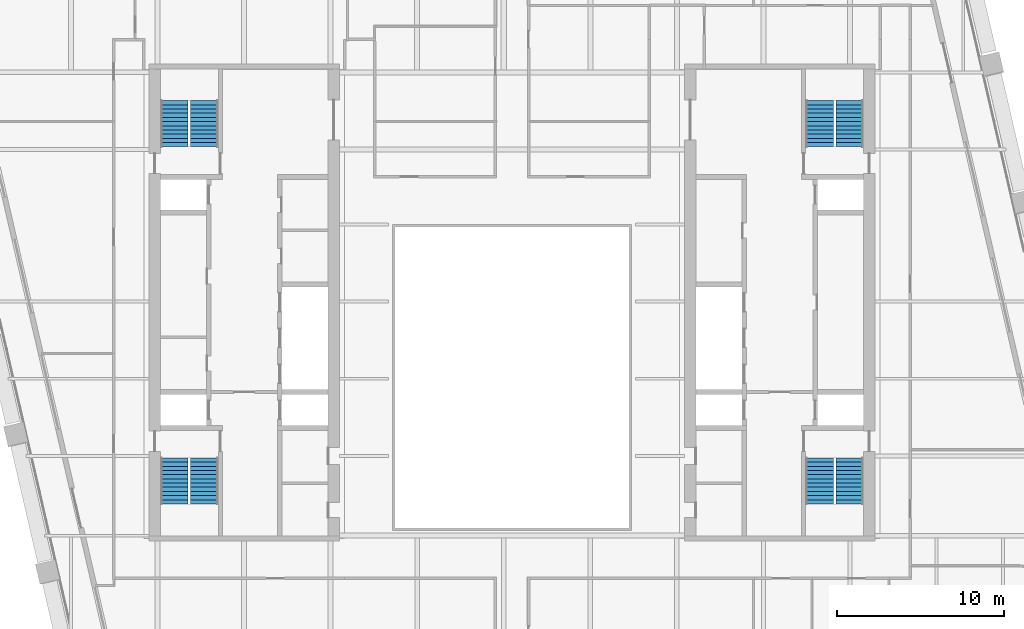
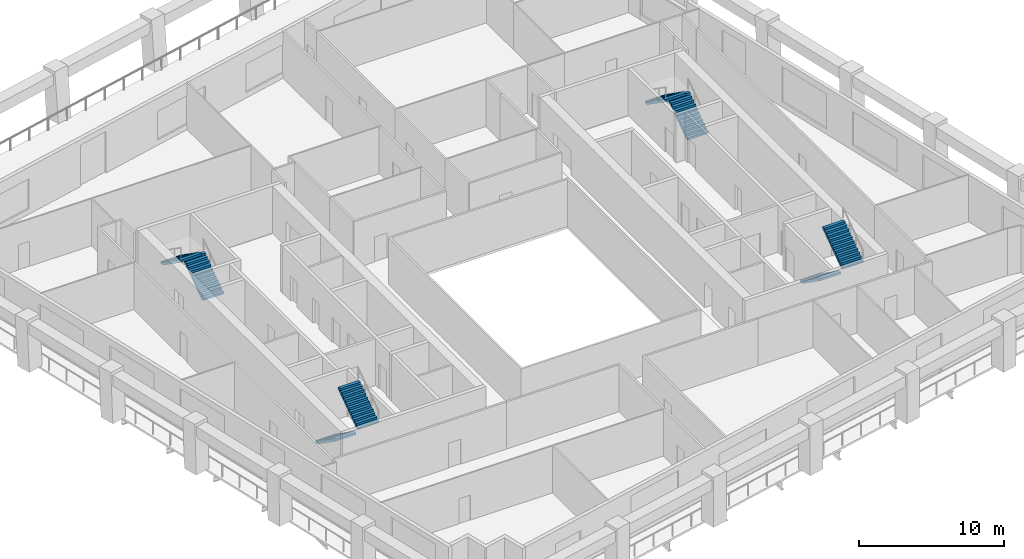
# One storey, part 9 of 11: 8 stair flights, 4 elements without a shape of their own.
"""IFC4 building model written with IfcOpenShell, lengths in metres."""

from ifc_helpers import new_model, si_unit, direction, frame, origin, place, context, subcontext, project, spatial, polyline, outline, extrude, material, type_object, element, aggregate, save


model = new_model("IFC4")

# Units and contexts
model_context = context("Model", 3, precision=1e-05, world=origin(), true_north=direction((0.0, 1.0)))
body_context = subcontext(model_context, "Body", "Model", "MODEL_VIEW")
ifc_project = project(units=[si_unit("LENGTHUNIT", "METRE"), si_unit("AREAUNIT", "SQUARE_METRE"), si_unit("VOLUMEUNIT", "CUBIC_METRE"), si_unit("PLANEANGLEUNIT", "RADIAN"), si_unit("MASSUNIT", "GRAM", prefix="KILO")], contexts=[model_context])

# Site, building, storey
site_placement = place(None, origin())
site = spatial("IfcSite", under=ifc_project, at=site_placement, CompositionType="ELEMENT")
building_placement = place(site_placement, origin())
building = spatial("IfcBuilding", under=site, at=building_placement, Name="Ogive Exchange Tower", CompositionType="ELEMENT")
storey_placement = place(building_placement, frame((0.0, 0.0, 217.800048828125)))
storey = spatial("IfcBuildingStorey", under=building, at=storey_placement, Name="L48", CompositionType="ELEMENT", Elevation=217.800048828125)

# Stair, stair flights
ifc_material = material(Name="Concrete C40/50", Category="concrete")
stair_type = type_object("IfcStairType", Name="Exit stair 1650 wide", PredefinedType="HALF_TURN_STAIR", material=ifc_material)
stair_1_placement = place(storey_placement, origin())
stair_1 = element("IfcStair", 1, at=stair_1_placement, inside=storey, type_object=stair_type, Name="L48 exit stair ST1", PredefinedType="HALF_TURN_STAIR")
stair_flight_type = type_object("IfcStairFlightType", Name="Stair flight 1650 wide", PredefinedType="STRAIGHT", material=ifc_material)
stair_flight_1_placement = place(storey_placement, frame((-20.175048828125, 2.199951171875, 0.0), z_axis=(0.0, 0.0, 1.0), x_axis=(0.0, -1.0, 0.0)))
stair_flight_1 = element("IfcStairFlight", 2, at=stair_flight_1_placement, type_object=stair_flight_type, Name="ST1 flight 1", NumberOfRisers=12, NumberOfTreads=11, PredefinedType="STRAIGHT", RiserHeight=0.175, TreadLength=0.25, context=body_context, shape_type="SweptSolid", body=[
    extrude(outline(polyline([(0.0, 0.0), (0.0, 0.175048828125), (0.25, 0.175048828125), (0.25, 0.35009765625), (0.5, 0.35009765625), (0.5, 0.52490234375), (0.75, 0.52490234375), (0.75, 0.699951171875), (1.0, 0.699951171875), (1.0, 0.875), (1.25, 0.875), (1.25, 1.050048828125), (1.5, 1.050048828125), (1.5, 1.22509765625), (1.75, 1.22509765625), (1.75, 1.39990234375), (2.0, 1.39990234375), (2.0, 1.574951171875), (2.25, 1.574951171875), (2.25, 1.75), (2.5, 1.75), (2.5, 1.925048828125), (2.75, 1.925048828125), (2.75, 2.10009765625), (2.75, 1.741943359375), (0.261474609375, 0.0), (0.0, 0.0)])), frame((0.0, 0.824951171875, 0.0), z_axis=(0.0, -1.0, 0.0), x_axis=(1.0, 0.0, 0.0)), (0.0, 0.0, 1.0), 1.64990234375),
])
stair_flight_2_placement = place(storey_placement, frame((-18.375, -0.550048828125, 2.099853515625), z_axis=(0.0, 0.0, 1.0), x_axis=(0.0, 1.0, 0.0)))
stair_flight_2 = element("IfcStairFlight", 3, at=stair_flight_2_placement, type_object=stair_flight_type, Name="ST1 flight 2", NumberOfRisers=12, NumberOfTreads=11, PredefinedType="STRAIGHT", RiserHeight=0.175, TreadLength=0.25, context=body_context, shape_type="SweptSolid", body=[
    extrude(outline(polyline([(0.0, 0.0), (0.0, 0.175048828125), (0.25, 0.175048828125), (0.25, 0.35009765625), (0.5, 0.35009765625), (0.5, 0.52490234375), (0.75, 0.52490234375), (0.75, 0.699951171875), (1.0, 0.699951171875), (1.0, 0.875), (1.25, 0.875), (1.25, 1.050048828125), (1.5, 1.050048828125), (1.5, 1.22509765625), (1.75, 1.22509765625), (1.75, 1.39990234375), (2.0, 1.39990234375), (2.0, 1.574951171875), (2.25, 1.574951171875), (2.25, 1.75), (2.5, 1.75), (2.5, 1.925048828125), (2.75, 1.925048828125), (2.75, 2.10009765625), (2.75, 1.741943359375), (0.261474609375, 0.0), (0.0, 0.0)])), frame((0.0, 0.824951171875, 0.0), z_axis=(0.0, -1.0, 0.0), x_axis=(1.0, 0.0, 0.0)), (0.0, 0.0, 1.0), 1.64990234375),
])
aggregate(stair_1, [stair_flight_1, stair_flight_2])

stair_2_placement = place(storey_placement, origin())
stair_2 = element("IfcStair", 4, at=stair_2_placement, inside=storey, type_object=stair_type, Name="L48 exit stair ST2", PredefinedType="HALF_TURN_STAIR")
stair_flight_3_placement = place(storey_placement, frame((-18.375, 20.800048828125, 0.0), z_axis=(0.0, 0.0, 1.0), x_axis=(0.0, 1.0, 0.0)))
stair_flight_3 = element("IfcStairFlight", 5, at=stair_flight_3_placement, type_object=stair_flight_type, Name="ST2 flight 1", NumberOfRisers=12, NumberOfTreads=11, PredefinedType="STRAIGHT", RiserHeight=0.175, TreadLength=0.25, context=body_context, shape_type="SweptSolid", body=[
    extrude(outline(polyline([(0.0, 0.0), (0.0, 0.175048828125), (0.25, 0.175048828125), (0.25, 0.35009765625), (0.5, 0.35009765625), (0.5, 0.52490234375), (0.75, 0.52490234375), (0.75, 0.699951171875), (1.0, 0.699951171875), (1.0, 0.875), (1.25, 0.875), (1.25, 1.050048828125), (1.5, 1.050048828125), (1.5, 1.22509765625), (1.75, 1.22509765625), (1.75, 1.39990234375), (2.0, 1.39990234375), (2.0, 1.574951171875), (2.25, 1.574951171875), (2.25, 1.75), (2.5, 1.75), (2.5, 1.925048828125), (2.75, 1.925048828125), (2.75, 2.10009765625), (2.75, 1.741943359375), (0.261474609375, 0.0), (0.0, 0.0)])), frame((0.0, 0.824951171875, 0.0), z_axis=(0.0, -1.0, 0.0), x_axis=(1.0, 0.0, 0.0)), (0.0, 0.0, 1.0), 1.64990234375),
])
stair_flight_4_placement = place(storey_placement, frame((-20.175048828125, 23.550048828125, 2.099853515625), z_axis=(0.0, 0.0, 1.0), x_axis=(0.0, -1.0, 0.0)))
stair_flight_4 = element("IfcStairFlight", 6, at=stair_flight_4_placement, type_object=stair_flight_type, Name="ST2 flight 2", NumberOfRisers=12, NumberOfTreads=11, PredefinedType="STRAIGHT", RiserHeight=0.175, TreadLength=0.25, context=body_context, shape_type="SweptSolid", body=[
    extrude(outline(polyline([(0.0, 0.0), (0.0, 0.175048828125), (0.25, 0.175048828125), (0.25, 0.35009765625), (0.5, 0.35009765625), (0.5, 0.52490234375), (0.75, 0.52490234375), (0.75, 0.699951171875), (1.0, 0.699951171875), (1.0, 0.875), (1.25, 0.875), (1.25, 1.050048828125), (1.5, 1.050048828125), (1.5, 1.22509765625), (1.75, 1.22509765625), (1.75, 1.39990234375), (2.0, 1.39990234375), (2.0, 1.574951171875), (2.25, 1.574951171875), (2.25, 1.75), (2.5, 1.75), (2.5, 1.925048828125), (2.75, 1.925048828125), (2.75, 2.10009765625), (2.75, 1.741943359375), (0.261474609375, 0.0), (0.0, 0.0)])), frame((0.0, 0.824951171875, 0.0), z_axis=(0.0, -1.0, 0.0), x_axis=(1.0, 0.0, 0.0)), (0.0, 0.0, 1.0), 1.64990234375),
])
aggregate(stair_2, [stair_flight_3, stair_flight_4])

stair_3_placement = place(storey_placement, origin())
stair_3 = element("IfcStair", 7, at=stair_3_placement, inside=storey, type_object=stair_type, Name="L48 exit stair ST3", PredefinedType="HALF_TURN_STAIR")
stair_flight_5_placement = place(storey_placement, frame((18.375, 2.199951171875, 0.0), z_axis=(0.0, 0.0, 1.0), x_axis=(0.0, -1.0, 0.0)))
stair_flight_5 = element("IfcStairFlight", 8, at=stair_flight_5_placement, type_object=stair_flight_type, Name="ST3 flight 1", NumberOfRisers=12, NumberOfTreads=11, PredefinedType="STRAIGHT", RiserHeight=0.175, TreadLength=0.25, context=body_context, shape_type="SweptSolid", body=[
    extrude(outline(polyline([(0.0, 0.0), (0.0, 0.175048828125), (0.25, 0.175048828125), (0.25, 0.35009765625), (0.5, 0.35009765625), (0.5, 0.52490234375), (0.75, 0.52490234375), (0.75, 0.699951171875), (1.0, 0.699951171875), (1.0, 0.875), (1.25, 0.875), (1.25, 1.050048828125), (1.5, 1.050048828125), (1.5, 1.22509765625), (1.75, 1.22509765625), (1.75, 1.39990234375), (2.0, 1.39990234375), (2.0, 1.574951171875), (2.25, 1.574951171875), (2.25, 1.75), (2.5, 1.75), (2.5, 1.925048828125), (2.75, 1.925048828125), (2.75, 2.10009765625), (2.75, 1.741943359375), (0.261474609375, 0.0), (0.0, 0.0)])), frame((0.0, 0.824951171875, 0.0), z_axis=(0.0, -1.0, 0.0), x_axis=(1.0, 0.0, 0.0)), (0.0, 0.0, 1.0), 1.64990234375),
])
stair_flight_6_placement = place(storey_placement, frame((20.175048828125, -0.550048828125, 2.099853515625), z_axis=(0.0, 0.0, 1.0), x_axis=(0.0, 1.0, 0.0)))
stair_flight_6 = element("IfcStairFlight", 9, at=stair_flight_6_placement, type_object=stair_flight_type, Name="ST3 flight 2", NumberOfRisers=12, NumberOfTreads=11, PredefinedType="STRAIGHT", RiserHeight=0.175, TreadLength=0.25, context=body_context, shape_type="SweptSolid", body=[
    extrude(outline(polyline([(0.0, 0.0), (0.0, 0.175048828125), (0.25, 0.175048828125), (0.25, 0.35009765625), (0.5, 0.35009765625), (0.5, 0.52490234375), (0.75, 0.52490234375), (0.75, 0.699951171875), (1.0, 0.699951171875), (1.0, 0.875), (1.25, 0.875), (1.25, 1.050048828125), (1.5, 1.050048828125), (1.5, 1.22509765625), (1.75, 1.22509765625), (1.75, 1.39990234375), (2.0, 1.39990234375), (2.0, 1.574951171875), (2.25, 1.574951171875), (2.25, 1.75), (2.5, 1.75), (2.5, 1.925048828125), (2.75, 1.925048828125), (2.75, 2.10009765625), (2.75, 1.741943359375), (0.261474609375, 0.0), (0.0, 0.0)])), frame((0.0, 0.824951171875, 0.0), z_axis=(0.0, -1.0, 0.0), x_axis=(1.0, 0.0, 0.0)), (0.0, 0.0, 1.0), 1.64990234375),
])
aggregate(stair_3, [stair_flight_5, stair_flight_6])

stair_4_placement = place(storey_placement, origin())
stair_4 = element("IfcStair", 10, at=stair_4_placement, inside=storey, type_object=stair_type, Name="L48 exit stair ST4", PredefinedType="HALF_TURN_STAIR")
stair_flight_7_placement = place(storey_placement, frame((20.175048828125, 20.800048828125, 0.0), z_axis=(0.0, 0.0, 1.0), x_axis=(0.0, 1.0, 0.0)))
stair_flight_7 = element("IfcStairFlight", 11, at=stair_flight_7_placement, type_object=stair_flight_type, Name="ST4 flight 1", NumberOfRisers=12, NumberOfTreads=11, PredefinedType="STRAIGHT", RiserHeight=0.175, TreadLength=0.25, context=body_context, shape_type="SweptSolid", body=[
    extrude(outline(polyline([(0.0, 0.0), (0.0, 0.175048828125), (0.25, 0.175048828125), (0.25, 0.35009765625), (0.5, 0.35009765625), (0.5, 0.52490234375), (0.75, 0.52490234375), (0.75, 0.699951171875), (1.0, 0.699951171875), (1.0, 0.875), (1.25, 0.875), (1.25, 1.050048828125), (1.5, 1.050048828125), (1.5, 1.22509765625), (1.75, 1.22509765625), (1.75, 1.39990234375), (2.0, 1.39990234375), (2.0, 1.574951171875), (2.25, 1.574951171875), (2.25, 1.75), (2.5, 1.75), (2.5, 1.925048828125), (2.75, 1.925048828125), (2.75, 2.10009765625), (2.75, 1.741943359375), (0.261474609375, 0.0), (0.0, 0.0)])), frame((0.0, 0.824951171875, 0.0), z_axis=(0.0, -1.0, 0.0), x_axis=(1.0, 0.0, 0.0)), (0.0, 0.0, 1.0), 1.64990234375),
])
stair_flight_8_placement = place(storey_placement, frame((18.375, 23.550048828125, 2.099853515625), z_axis=(0.0, 0.0, 1.0), x_axis=(0.0, -1.0, 0.0)))
stair_flight_8 = element("IfcStairFlight", 12, at=stair_flight_8_placement, type_object=stair_flight_type, Name="ST4 flight 2", NumberOfRisers=12, NumberOfTreads=11, PredefinedType="STRAIGHT", RiserHeight=0.175, TreadLength=0.25, context=body_context, shape_type="SweptSolid", body=[
    extrude(outline(polyline([(0.0, 0.0), (0.0, 0.175048828125), (0.25, 0.175048828125), (0.25, 0.35009765625), (0.5, 0.35009765625), (0.5, 0.52490234375), (0.75, 0.52490234375), (0.75, 0.699951171875), (1.0, 0.699951171875), (1.0, 0.875), (1.25, 0.875), (1.25, 1.050048828125), (1.5, 1.050048828125), (1.5, 1.22509765625), (1.75, 1.22509765625), (1.75, 1.39990234375), (2.0, 1.39990234375), (2.0, 1.574951171875), (2.25, 1.574951171875), (2.25, 1.75), (2.5, 1.75), (2.5, 1.925048828125), (2.75, 1.925048828125), (2.75, 2.10009765625), (2.75, 1.741943359375), (0.261474609375, 0.0), (0.0, 0.0)])), frame((0.0, 0.824951171875, 0.0), z_axis=(0.0, -1.0, 0.0), x_axis=(1.0, 0.0, 0.0)), (0.0, 0.0, 1.0), 1.64990234375),
])
aggregate(stair_4, [stair_flight_7, stair_flight_8])

save(model, "model.ifc")
